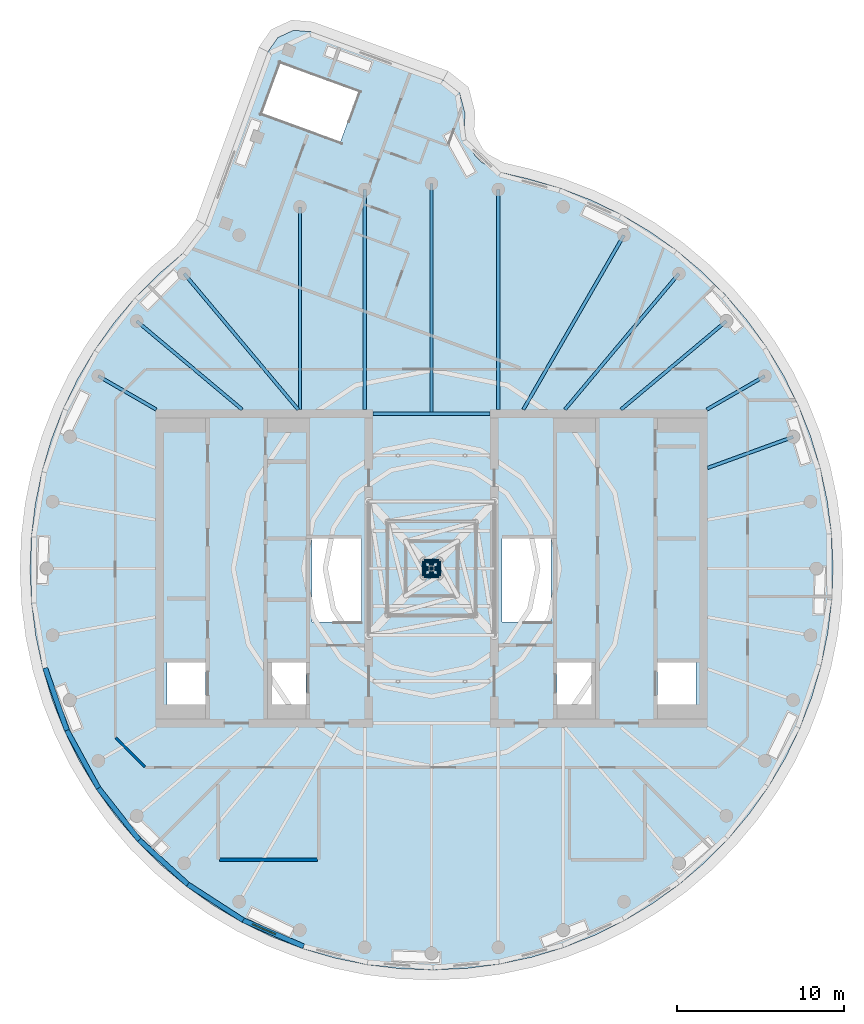
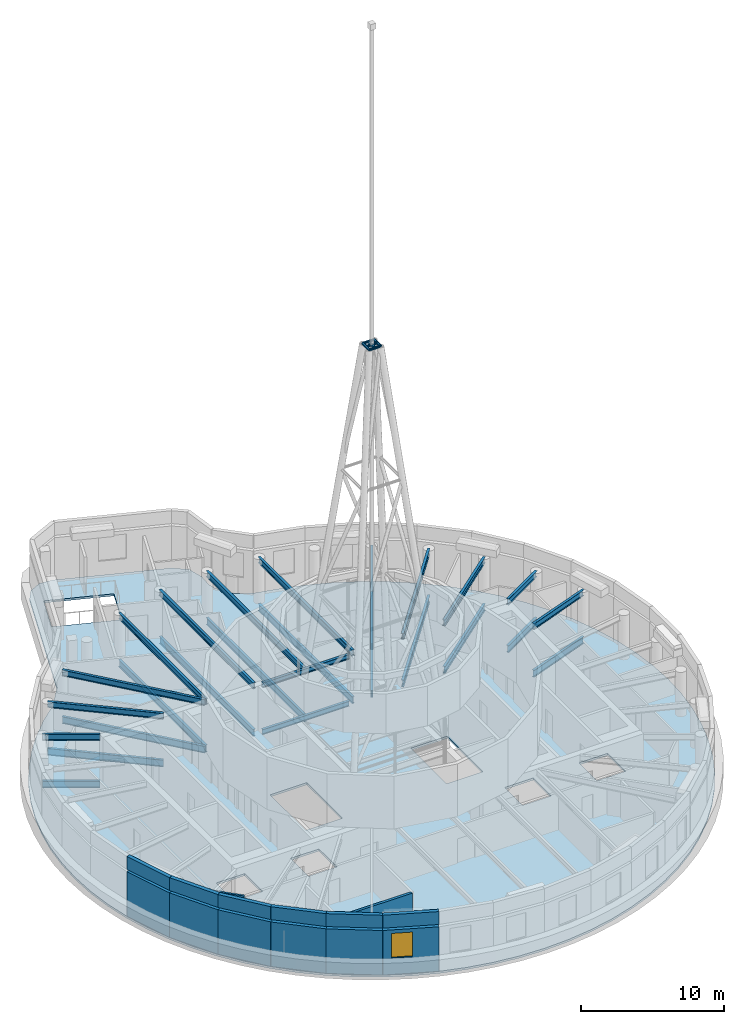
# One storey, part 10 of 17: 26 beams, 14 walls, 8 members, 1 slab, 1 window, 1 opening.
"""IFC4 building model written with IfcOpenShell, lengths in metres."""

from ifc_helpers import new_model, si_unit, direction, frame, frame_2d, origin, origin_2d, place, context, subcontext, project, spatial, polyline, rectangle, hollow_circle, i_section, outline, extrude, material, layer, layer_set, material_profile, profile_set, type_object, element, fill, save


model = new_model("IFC4")

# Units and contexts
model_context = context("Model", 3, precision=1e-05, world=origin(), true_north=direction((0.0, 1.0)))
body_context = subcontext(model_context, "Body", "Model", "MODEL_VIEW")
ifc_project = project(units=[si_unit("LENGTHUNIT", "METRE"), si_unit("AREAUNIT", "SQUARE_METRE"), si_unit("VOLUMEUNIT", "CUBIC_METRE"), si_unit("PLANEANGLEUNIT", "RADIAN"), si_unit("MASSUNIT", "GRAM", prefix="KILO")], contexts=[model_context])

# Site, building, storey
site_placement = place(None, origin())
site = spatial("IfcSite", under=ifc_project, at=site_placement, CompositionType="ELEMENT")
building_placement = place(site_placement, origin())
building = spatial("IfcBuilding", under=site, at=building_placement, Name="Tamarind Cross Interchange Tower", CompositionType="ELEMENT")
storey_placement = place(building_placement, frame((0.0, 0.0, 325.39990234375)))
storey = spatial("IfcBuildingStorey", under=building, at=storey_placement, Name="L80", CompositionType="ELEMENT", Elevation=325.39990234375)

# Beams
ifc_material_1 = material(Name="Steel Q355B", Category="steel")
ifc_material_profile_1 = material_profile(ifc_material_1, i_section(OverallWidth=0.199951171875, OverallDepth=0.39990234375, WebThickness=0.008056640625, FlangeThickness=0.012939453125, FilletRadius=0.01611328125, at=origin_2d()), Name="HN 400x200x8x13")
ifc_profile_set_1 = profile_set([ifc_material_profile_1], Name="Steel Q355B")
beam_type_1 = type_object("IfcBeamType", Name="Composite beam HN 400x200x8x13 Q355B", PredefinedType="BEAM", material=ifc_profile_set_1)
beam_1_placement = place(storey_placement, frame((-3.5, 9.25, 3.60009765625), z_axis=(1.0, 0.0, 0.0), x_axis=(0.0, 1.0, 0.0)))
element("IfcBeam", 1, at=beam_1_placement, inside=storey, type_object=beam_type_1, Name="Beam G9.25", PredefinedType="BEAM", context=body_context, shape_type="SweptSolid", body=[
    extrude(i_section(OverallWidth=0.199951171875, OverallDepth=0.39990234375, WebThickness=0.008056640625, FlangeThickness=0.012939453125, FilletRadius=0.01611328125, at=origin_2d()), origin(), (0.0, 0.0, 1.0), 7.0),
])
ifc_material_profile_2 = material_profile(ifc_material_1, i_section(OverallWidth=0.198974609375, OverallDepth=0.446044921875, WebThickness=0.008056640625, FlangeThickness=0.011962890625, FilletRadius=0.012939453125, at=origin_2d()), Name="HN 446x199x8x12")
ifc_profile_set_2 = profile_set([ifc_material_profile_2], Name="Steel Q355B")
beam_type_2 = type_object("IfcBeamType", Name="Composite beam HN 446x199x8x12 Q355B", PredefinedType="BEAM", material=ifc_profile_set_2)
beam_2_placement = place(storey_placement, frame((-3.5, 9.25, -0.40283203125), z_axis=(1.0, 0.0, 0.0), x_axis=(0.0, 1.0, 0.0)))
element("IfcBeam", 2, at=beam_2_placement, inside=storey, type_object=beam_type_2, Name="Beam G9.25", PredefinedType="BEAM", context=body_context, shape_type="SweptSolid", body=[
    extrude(i_section(OverallWidth=0.198974609375, OverallDepth=0.446044921875, WebThickness=0.008056640625, FlangeThickness=0.011962890625, FilletRadius=0.012939453125, at=origin_2d()), origin(), (0.0, 0.0, 1.0), 7.0),
])
ifc_material_profile_3 = material_profile(ifc_material_1, i_section(OverallWidth=0.198974609375, OverallDepth=0.49609375, WebThickness=0.009033203125, FlangeThickness=0.013916015625, FilletRadius=0.012939453125, at=origin_2d()), Name="HN 496x199x9x14")
ifc_profile_set_3 = profile_set([ifc_material_profile_3], Name="Steel Q355B")
beam_type_3 = type_object("IfcBeamType", Name="Composite beam HN 496x199x9x14 Q355B", PredefinedType="BEAM", material=ifc_profile_set_3)
beam_3_placement = place(storey_placement, frame((21.613037109375, 7.866455078125, 3.552001953125), z_axis=(-0.939701685589, -0.341995236956, 0.0), x_axis=(0.341995236956, -0.939701685589, 0.0)))
element("IfcBeam", 3, at=beam_3_placement, inside=storey, type_object=beam_type_3, Name="Beam HH02", PredefinedType="BEAM", context=body_context, shape_type="SweptSolid", body=[
    extrude(i_section(OverallWidth=0.198974609375, OverallDepth=0.49609375, WebThickness=0.009033203125, FlangeThickness=0.013916015625, FilletRadius=0.012939453125, at=origin_2d()), origin(), (0.0, 0.0, 1.0), 5.441162109375),
])
beam_4_placement = place(storey_placement, frame((19.918701171875, 11.5, 3.552001953125), z_axis=(-0.866026010844, -0.49999894854, 0.0), x_axis=(0.49999894854, -0.866026010844, 0.0)))
element("IfcBeam", 4, at=beam_4_placement, inside=storey, type_object=beam_type_3, Name="Beam HH03", PredefinedType="BEAM", context=body_context, shape_type="SweptSolid", body=[
    extrude(i_section(OverallWidth=0.198974609375, OverallDepth=0.49609375, WebThickness=0.009033203125, FlangeThickness=0.013916015625, FilletRadius=0.012939453125, at=origin_2d()), origin(), (0.0, 0.0, 1.0), 4.0),
])
beam_5_placement = place(storey_placement, frame((17.619140625, 14.7841796875, 3.552001953125), z_axis=(-0.766040580814, -0.642792212574, 0.0), x_axis=(0.642792212574, -0.766040580814, 0.0)))
element("IfcBeam", 5, at=beam_5_placement, inside=storey, type_object=beam_type_3, Name="Beam HH04", PredefinedType="BEAM", context=body_context, shape_type="SweptSolid", body=[
    extrude(i_section(OverallWidth=0.198974609375, OverallDepth=0.49609375, WebThickness=0.009033203125, FlangeThickness=0.013916015625, FilletRadius=0.012939453125, at=origin_2d()), origin(), (0.0, 0.0, 1.0), 8.220703125),
])
beam_6_placement = place(storey_placement, frame((14.7841796875, 17.619140625, 3.552001953125), z_axis=(-0.642786293979, -0.766045547127, 0.0), x_axis=(0.766045547127, -0.642786293979, 0.0)))
element("IfcBeam", 6, at=beam_6_placement, inside=storey, type_object=beam_type_3, Name="Beam HH05", PredefinedType="BEAM", context=body_context, shape_type="SweptSolid", body=[
    extrude(i_section(OverallWidth=0.198974609375, OverallDepth=0.49609375, WebThickness=0.009033203125, FlangeThickness=0.013916015625, FilletRadius=0.012939453125, at=origin_2d()), origin(), (0.0, 0.0, 1.0), 10.598876953125),
])
beam_7_placement = place(storey_placement, frame((11.5, 19.918701171875, 3.552001953125), z_axis=(-0.499993565836, -0.866029118519, 0.0), x_axis=(0.866029118519, -0.499993565836, 0.0)))
element("IfcBeam", 7, at=beam_7_placement, inside=storey, type_object=beam_type_3, Name="Beam HH06", PredefinedType="BEAM", context=body_context, shape_type="SweptSolid", body=[
    extrude(i_section(OverallWidth=0.198974609375, OverallDepth=0.49609375, WebThickness=0.009033203125, FlangeThickness=0.013916015625, FilletRadius=0.012939453125, at=origin_2d()), origin(), (0.0, 0.0, 1.0), 12.030517578125),
])
beam_8_placement = place(storey_placement, frame((3.993896484375, 22.650634765625, 3.552001953125), z_axis=(0.0, -1.0, 0.0), x_axis=(1.0, 0.0, 0.0)))
element("IfcBeam", 8, at=beam_8_placement, inside=storey, type_object=beam_type_3, Name="Beam HH08", PredefinedType="BEAM", context=body_context, shape_type="SweptSolid", body=[
    extrude(i_section(OverallWidth=0.198974609375, OverallDepth=0.49609375, WebThickness=0.009033203125, FlangeThickness=0.013916015625, FilletRadius=0.012939453125, at=origin_2d()), origin(), (0.0, 0.0, 1.0), 13.150634765625),
])
beam_9_placement = place(storey_placement, frame((0.0, 23.0, 3.552001953125), z_axis=(0.0, -1.0, 0.0), x_axis=(1.0, 0.0, 0.0)))
element("IfcBeam", 9, at=beam_9_placement, inside=storey, type_object=beam_type_3, Name="Beam HH09", PredefinedType="BEAM", context=body_context, shape_type="SweptSolid", body=[
    extrude(i_section(OverallWidth=0.198974609375, OverallDepth=0.49609375, WebThickness=0.009033203125, FlangeThickness=0.013916015625, FilletRadius=0.012939453125, at=origin_2d()), origin(), (0.0, 0.0, 1.0), 13.75),
])
beam_10_placement = place(storey_placement, frame((-3.993896484375, 22.650634765625, 3.552001953125), z_axis=(0.0, -1.0, 0.0), x_axis=(1.0, 0.0, 0.0)))
element("IfcBeam", 10, at=beam_10_placement, inside=storey, type_object=beam_type_3, Name="Beam HH10", PredefinedType="BEAM", context=body_context, shape_type="SweptSolid", body=[
    extrude(i_section(OverallWidth=0.198974609375, OverallDepth=0.49609375, WebThickness=0.009033203125, FlangeThickness=0.013916015625, FilletRadius=0.012939453125, at=origin_2d()), origin(), (0.0, 0.0, 1.0), 13.150634765625),
])
beam_11_placement = place(storey_placement, frame((-7.866455078125, 21.613037109375, 3.552001953125), z_axis=(0.0, -1.0, 0.0), x_axis=(1.0, 0.0, 0.0)))
element("IfcBeam", 11, at=beam_11_placement, inside=storey, type_object=beam_type_3, Name="Beam HH11", PredefinedType="BEAM", context=body_context, shape_type="SweptSolid", body=[
    extrude(i_section(OverallWidth=0.198974609375, OverallDepth=0.49609375, WebThickness=0.009033203125, FlangeThickness=0.013916015625, FilletRadius=0.012939453125, at=origin_2d()), origin(), (0.0, 0.0, 1.0), 12.113037109375),
])
beam_12_placement = place(storey_placement, frame((-14.7841796875, 17.619140625, 3.552001953125), z_axis=(0.642786293979, -0.766045547127, 0.0), x_axis=(0.766045547127, 0.642786293979, 0.0)))
element("IfcBeam", 12, at=beam_12_placement, inside=storey, type_object=beam_type_3, Name="Beam HH13", PredefinedType="BEAM", context=body_context, shape_type="SweptSolid", body=[
    extrude(i_section(OverallWidth=0.198974609375, OverallDepth=0.49609375, WebThickness=0.009033203125, FlangeThickness=0.013916015625, FilletRadius=0.012939453125, at=origin_2d()), origin(), (0.0, 0.0, 1.0), 10.598876953125),
])
beam_13_placement = place(storey_placement, frame((-17.619140625, 14.7841796875, 3.552001953125), z_axis=(0.766040580814, -0.642792212574, 0.0), x_axis=(0.642792212574, 0.766040580814, 0.0)))
element("IfcBeam", 13, at=beam_13_placement, inside=storey, type_object=beam_type_3, Name="Beam HH14", PredefinedType="BEAM", context=body_context, shape_type="SweptSolid", body=[
    extrude(i_section(OverallWidth=0.198974609375, OverallDepth=0.49609375, WebThickness=0.009033203125, FlangeThickness=0.013916015625, FilletRadius=0.012939453125, at=origin_2d()), origin(), (0.0, 0.0, 1.0), 8.220703125),
])
beam_14_placement = place(storey_placement, frame((-19.918701171875, 11.5, 3.552001953125), z_axis=(0.866026010844, -0.49999894854, 0.0), x_axis=(0.49999894854, 0.866026010844, 0.0)))
element("IfcBeam", 14, at=beam_14_placement, inside=storey, type_object=beam_type_3, Name="Beam HH15", PredefinedType="BEAM", context=body_context, shape_type="SweptSolid", body=[
    extrude(i_section(OverallWidth=0.198974609375, OverallDepth=0.49609375, WebThickness=0.009033203125, FlangeThickness=0.013916015625, FilletRadius=0.012939453125, at=origin_2d()), origin(), (0.0, 0.0, 1.0), 4.0),
])
ifc_material_profile_4 = material_profile(ifc_material_1, i_section(OverallWidth=0.198974609375, OverallDepth=0.595947265625, WebThickness=0.010009765625, FlangeThickness=0.014892578125, FilletRadius=0.012939453125, at=origin_2d()), Name="HN 596x199x10x15")
ifc_profile_set_4 = profile_set([ifc_material_profile_4], Name="Steel Q355B")
beam_type_4 = type_object("IfcBeamType", Name="Composite beam HN 596x199x10x15 Q355B", PredefinedType="BEAM", material=ifc_profile_set_4)
beam_15_placement = place(storey_placement, frame((21.613037109375, 7.866455078125, -0.477783203125), z_axis=(-0.939701685589, -0.341995236956, 0.0), x_axis=(0.341995236956, -0.939701685589, 0.0)))
element("IfcBeam", 15, at=beam_15_placement, inside=storey, type_object=beam_type_4, Name="Beam HH02", PredefinedType="BEAM", context=body_context, shape_type="SweptSolid", body=[
    extrude(i_section(OverallWidth=0.198974609375, OverallDepth=0.595947265625, WebThickness=0.010009765625, FlangeThickness=0.014892578125, FilletRadius=0.012939453125, at=origin_2d()), origin(), (0.0, 0.0, 1.0), 5.441162109375),
])
beam_16_placement = place(storey_placement, frame((19.918701171875, 11.5, -0.477783203125), z_axis=(-0.866026010844, -0.49999894854, 0.0), x_axis=(0.49999894854, -0.866026010844, 0.0)))
element("IfcBeam", 16, at=beam_16_placement, inside=storey, type_object=beam_type_4, Name="Beam HH03", PredefinedType="BEAM", context=body_context, shape_type="SweptSolid", body=[
    extrude(i_section(OverallWidth=0.198974609375, OverallDepth=0.595947265625, WebThickness=0.010009765625, FlangeThickness=0.014892578125, FilletRadius=0.012939453125, at=origin_2d()), origin(), (0.0, 0.0, 1.0), 4.0),
])
beam_17_placement = place(storey_placement, frame((17.619140625, 14.7841796875, -0.477783203125), z_axis=(-0.766040580814, -0.642792212574, 0.0), x_axis=(0.642792212574, -0.766040580814, 0.0)))
element("IfcBeam", 17, at=beam_17_placement, inside=storey, type_object=beam_type_4, Name="Beam HH04", PredefinedType="BEAM", context=body_context, shape_type="SweptSolid", body=[
    extrude(i_section(OverallWidth=0.198974609375, OverallDepth=0.595947265625, WebThickness=0.010009765625, FlangeThickness=0.014892578125, FilletRadius=0.012939453125, at=origin_2d()), origin(), (0.0, 0.0, 1.0), 8.220703125),
])
beam_18_placement = place(storey_placement, frame((14.7841796875, 17.619140625, -0.477783203125), z_axis=(-0.642786293979, -0.766045547127, 0.0), x_axis=(0.766045547127, -0.642786293979, 0.0)))
element("IfcBeam", 18, at=beam_18_placement, inside=storey, type_object=beam_type_4, Name="Beam HH05", PredefinedType="BEAM", context=body_context, shape_type="SweptSolid", body=[
    extrude(i_section(OverallWidth=0.198974609375, OverallDepth=0.595947265625, WebThickness=0.010009765625, FlangeThickness=0.014892578125, FilletRadius=0.012939453125, at=origin_2d()), origin(), (0.0, 0.0, 1.0), 10.598876953125),
])
beam_19_placement = place(storey_placement, frame((11.5, 19.918701171875, -0.477783203125), z_axis=(-0.499993565836, -0.866029118519, 0.0), x_axis=(0.866029118519, -0.499993565836, 0.0)))
element("IfcBeam", 19, at=beam_19_placement, inside=storey, type_object=beam_type_4, Name="Beam HH06", PredefinedType="BEAM", context=body_context, shape_type="SweptSolid", body=[
    extrude(i_section(OverallWidth=0.198974609375, OverallDepth=0.595947265625, WebThickness=0.010009765625, FlangeThickness=0.014892578125, FilletRadius=0.012939453125, at=origin_2d()), origin(), (0.0, 0.0, 1.0), 12.030517578125),
])
beam_20_placement = place(storey_placement, frame((3.993896484375, 22.650634765625, -0.477783203125), z_axis=(0.0, -1.0, 0.0), x_axis=(1.0, 0.0, 0.0)))
element("IfcBeam", 20, at=beam_20_placement, inside=storey, type_object=beam_type_4, Name="Beam HH08", PredefinedType="BEAM", context=body_context, shape_type="SweptSolid", body=[
    extrude(i_section(OverallWidth=0.198974609375, OverallDepth=0.595947265625, WebThickness=0.010009765625, FlangeThickness=0.014892578125, FilletRadius=0.012939453125, at=origin_2d()), origin(), (0.0, 0.0, 1.0), 13.150634765625),
])
beam_21_placement = place(storey_placement, frame((0.0, 23.0, -0.477783203125), z_axis=(0.0, -1.0, 0.0), x_axis=(1.0, 0.0, 0.0)))
element("IfcBeam", 21, at=beam_21_placement, inside=storey, type_object=beam_type_4, Name="Beam HH09", PredefinedType="BEAM", context=body_context, shape_type="SweptSolid", body=[
    extrude(i_section(OverallWidth=0.198974609375, OverallDepth=0.595947265625, WebThickness=0.010009765625, FlangeThickness=0.014892578125, FilletRadius=0.012939453125, at=origin_2d()), origin(), (0.0, 0.0, 1.0), 13.75),
])
beam_22_placement = place(storey_placement, frame((-3.993896484375, 22.650634765625, -0.477783203125), z_axis=(0.0, -1.0, 0.0), x_axis=(1.0, 0.0, 0.0)))
element("IfcBeam", 22, at=beam_22_placement, inside=storey, type_object=beam_type_4, Name="Beam HH10", PredefinedType="BEAM", context=body_context, shape_type="SweptSolid", body=[
    extrude(i_section(OverallWidth=0.198974609375, OverallDepth=0.595947265625, WebThickness=0.010009765625, FlangeThickness=0.014892578125, FilletRadius=0.012939453125, at=origin_2d()), origin(), (0.0, 0.0, 1.0), 13.150634765625),
])
beam_23_placement = place(storey_placement, frame((-7.866455078125, 21.613037109375, -0.477783203125), z_axis=(0.0, -1.0, 0.0), x_axis=(1.0, 0.0, 0.0)))
element("IfcBeam", 23, at=beam_23_placement, inside=storey, type_object=beam_type_4, Name="Beam HH11", PredefinedType="BEAM", context=body_context, shape_type="SweptSolid", body=[
    extrude(i_section(OverallWidth=0.198974609375, OverallDepth=0.595947265625, WebThickness=0.010009765625, FlangeThickness=0.014892578125, FilletRadius=0.012939453125, at=origin_2d()), origin(), (0.0, 0.0, 1.0), 12.113037109375),
])
beam_24_placement = place(storey_placement, frame((-14.7841796875, 17.619140625, -0.477783203125), z_axis=(0.642786293979, -0.766045547127, 0.0), x_axis=(0.766045547127, 0.642786293979, 0.0)))
element("IfcBeam", 24, at=beam_24_placement, inside=storey, type_object=beam_type_4, Name="Beam HH13", PredefinedType="BEAM", context=body_context, shape_type="SweptSolid", body=[
    extrude(i_section(OverallWidth=0.198974609375, OverallDepth=0.595947265625, WebThickness=0.010009765625, FlangeThickness=0.014892578125, FilletRadius=0.012939453125, at=origin_2d()), origin(), (0.0, 0.0, 1.0), 10.598876953125),
])
beam_25_placement = place(storey_placement, frame((-17.619140625, 14.7841796875, -0.477783203125), z_axis=(0.766040580814, -0.642792212574, 0.0), x_axis=(0.642792212574, 0.766040580814, 0.0)))
element("IfcBeam", 25, at=beam_25_placement, inside=storey, type_object=beam_type_4, Name="Beam HH14", PredefinedType="BEAM", context=body_context, shape_type="SweptSolid", body=[
    extrude(i_section(OverallWidth=0.198974609375, OverallDepth=0.595947265625, WebThickness=0.010009765625, FlangeThickness=0.014892578125, FilletRadius=0.012939453125, at=origin_2d()), origin(), (0.0, 0.0, 1.0), 8.220703125),
])
beam_26_placement = place(storey_placement, frame((-19.918701171875, 11.5, -0.477783203125), z_axis=(0.866026010844, -0.49999894854, 0.0), x_axis=(0.49999894854, 0.866026010844, 0.0)))
element("IfcBeam", 26, at=beam_26_placement, inside=storey, type_object=beam_type_4, Name="Beam HH15", PredefinedType="BEAM", context=body_context, shape_type="SweptSolid", body=[
    extrude(i_section(OverallWidth=0.198974609375, OverallDepth=0.595947265625, WebThickness=0.010009765625, FlangeThickness=0.014892578125, FilletRadius=0.012939453125, at=origin_2d()), origin(), (0.0, 0.0, 1.0), 4.0),
])

# Members
ifc_material_profile_5 = material_profile(ifc_material_1, hollow_circle(Radius=0.109619140625, WallThickness=0.011962890625, at=origin_2d()), Name="CHS 219x12")
ifc_profile_set_5 = profile_set([ifc_material_profile_5], Name="Steel Q355B")
member_type_1 = type_object("IfcMemberType", Name="Spire mast stay CHS 219x12 Q355B", PredefinedType="BRACE", material=ifc_profile_set_5)
for number, where, z_axis, x_axis, name in (
    (27, (0.0, 0.449951171875, 37.0), (0.0, -1.0, 0.0), (1.0, 0.0, 0.0), "Spire mast stay 33"),
    (28, (-0.449951171875, 0.0, 37.0), (1.0, 0.0, 0.0), (0.0, 1.0, 0.0), "Spire mast stay 34"),
    (29, (0.0, -0.449951171875, 37.0), (0.0, 1.0, 0.0), (-1.0, 0.0, 0.0), "Spire mast stay 35"),
    (30, (0.449951171875, 0.0, 37.0), (-1.0, 0.0, 0.0), (0.0, -1.0, 0.0), "Spire mast stay 36"),
):
    element("IfcMember", number, at=place(storey_placement, frame(where, z_axis=z_axis, x_axis=x_axis)), inside=storey, type_object=member_type_1, Name=name, PredefinedType="BRACE", context=body_context, shape_type="SweptSolid", body=[
        extrude(hollow_circle(Radius=0.109619140625, WallThickness=0.011962890625, at=origin_2d()), origin(), (0.0, 0.0, 1.0), 0.449951171875),
    ])
ifc_material_profile_6 = material_profile(ifc_material_1, hollow_circle(Radius=0.109619140625, WallThickness=0.011962890625, at=origin_2d()), Name="CHS 219x12")
ifc_profile_set_6 = profile_set([ifc_material_profile_6], Name="Steel Q355B")
member_type_2 = type_object("IfcMemberType", Name="Spire ring CHS 219x12 Q355B", PredefinedType="CHORD", material=ifc_profile_set_6)
for number, where, z_axis, x_axis, name in (
    (31, (0.449951171875, 0.449951171875, 37.0), (-1.0, 0.0, 0.0), (0.0, -1.0, 0.0), "Spire ring 17"),
    (32, (-0.449951171875, 0.449951171875, 37.0), (0.0, -1.0, 0.0), (1.0, 0.0, 0.0), "Spire ring 18"),
    (33, (-0.449951171875, -0.449951171875, 37.0), (1.0, 0.0, 0.0), (0.0, 1.0, 0.0), "Spire ring 19"),
    (34, (0.449951171875, -0.449951171875, 37.0), (0.0, 1.0, 0.0), (-1.0, 0.0, 0.0), "Spire ring 20"),
):
    element("IfcMember", number, at=place(storey_placement, frame(where, z_axis=z_axis, x_axis=x_axis)), inside=storey, type_object=member_type_2, Name=name, PredefinedType="CHORD", context=body_context, shape_type="SweptSolid", body=[
        extrude(hollow_circle(Radius=0.109619140625, WallThickness=0.011962890625, at=origin_2d()), origin(), (0.0, 0.0, 1.0), 0.89990234375),
    ])

# Slab
ifc_material_2 = material(Name="Concrete C40", Category="concrete")
ifc_layer_1 = layer(ifc_material_2, 0.179931640625)
ifc_layer_set_1 = layer_set([ifc_layer_1], Name="Concrete C40")
slab_type = type_object("IfcSlabType", Name="Composite slab 180 Concrete C40", PredefinedType="FLOOR", material=ifc_layer_set_1)
slab_placement = place(storey_placement, frame((0.0, 0.0, -0.179931640625)))
element("IfcSlab", 35, at=slab_placement, inside=storey, type_object=slab_type, Name="Floor slab L80", PredefinedType="FLOOR", context=body_context, shape_type="SweptSolid", body=[
    extrude(outline(polyline([(-9.18798828125, 31.72900390625), (-9.78173828125, 30.880859375), (-13.54248046875, 20.54736328125), (-14.847900390625, 18.848876953125), (-16.327880859375, 17.584228515625), (-17.72412109375, 16.17578125), (-18.99951171875, 14.656982421875), (-20.14501953125, 13.0380859375), (-21.15283203125, 11.329833984375), (-22.01611328125, 9.54443359375), (-22.72900390625, 7.693603515625), (-23.286865234375, 5.79052734375), (-23.685546875, 3.84765625), (-23.92236328125, 1.878662109375), (-23.99560546875, -0.103271484375), (-23.9052734375, -2.08447265625), (-23.651611328125, -4.051513671875), (-23.236083984375, -5.99072265625), (-22.662109375, -7.88916015625), (-21.93310546875, -9.7333984375), (-21.054443359375, -11.511474609375), (-20.031982421875, -13.2109375), (-18.87255859375, -14.820068359375), (-17.584228515625, -16.327880859375), (-16.17578125, -17.72412109375), (-14.656982421875, -18.99951171875), (-13.0380859375, -20.14501953125), (-11.329833984375, -21.15283203125), (-9.54443359375, -22.01611328125), (-7.693603515625, -22.72900390625), (-5.79052734375, -23.286865234375), (-3.84765625, -23.685546875), (-1.878662109375, -23.92236328125), (0.103271484375, -23.99560546875), (2.08447265625, -23.9052734375), (4.051513671875, -23.651611328125), (5.99072265625, -23.236083984375), (7.88916015625, -22.662109375), (9.7333984375, -21.93310546875), (11.511474609375, -21.054443359375), (13.2109375, -20.031982421875), (14.820068359375, -18.87255859375), (16.327880859375, -17.584228515625), (17.72412109375, -16.17578125), (18.99951171875, -14.656982421875), (20.14501953125, -13.0380859375), (21.15283203125, -11.329833984375), (22.01611328125, -9.54443359375), (22.72900390625, -7.693603515625), (23.286865234375, -5.79052734375), (23.685546875, -3.84765625), (23.92236328125, -1.878662109375), (23.99560546875, 0.103271484375), (23.9052734375, 2.08447265625), (23.651611328125, 4.051513671875), (23.236083984375, 5.99072265625), (22.662109375, 7.88916015625), (21.93310546875, 9.7333984375), (21.054443359375, 11.511474609375), (20.031982421875, 13.2109375), (18.87255859375, 14.820068359375), (17.584228515625, 16.327880859375), (16.17578125, 17.72412109375), (14.656982421875, 18.99951171875), (13.0380859375, 20.14501953125), (11.329833984375, 21.15283203125), (9.54443359375, 22.01611328125), (7.693603515625, 22.72900390625), (5.79052734375, 23.286865234375), (4.106689453125, 23.680908203125), (2.99658203125, 24.276123046875), (2.603515625, 24.663330078125), (2.0615234375, 25.6376953125), (1.940185546875, 26.17578125), (2.004638671875, 27.190673828125), (1.6826171875, 28.412109375), (0.692626953125, 29.197021484375), (-7.218505859375, 32.076171875), (-8.249755859375, 32.16650390625), (-9.18798828125, 31.72900390625)]), holes=[polyline([(-15.800048828125, -8.125), (-15.800048828125, -5.625), (-13.5, -5.625), (-13.5, -8.125), (-15.800048828125, -8.125)]), polyline([(-9.800048828125, -5.625), (-7.5, -5.625), (-7.5, -8.125), (-9.800048828125, -8.125), (-9.800048828125, -5.625)]), polyline([(9.800048828125, -8.125), (7.5, -8.125), (7.5, -5.625), (9.800048828125, -5.625), (9.800048828125, -8.125)]), polyline([(15.800048828125, -8.125), (13.5, -8.125), (13.5, -5.625), (15.800048828125, -5.625), (15.800048828125, -8.125)]), polyline([(-7.14990234375, -3.18798828125), (-7.14990234375, 1.800048828125), (-4.199951171875, 1.800048828125), (-4.199951171875, -3.18798828125), (-7.14990234375, -3.18798828125)]), polyline([(4.199951171875, -3.18798828125), (4.199951171875, 1.800048828125), (7.14990234375, 1.800048828125), (7.14990234375, -3.18798828125), (4.199951171875, -3.18798828125)]), polyline([(-5.45263671875, 25.47412109375), (-10.139892578125, 27.18017578125), (-9.04541015625, 30.187255859375), (-4.358154296875, 28.481201171875), (-5.45263671875, 25.47412109375)])]), origin(), (0.0, 0.0, 1.0), 0.179931640625),
])

# Walls
ifc_layer_2 = layer(ifc_material_2, 0.300048828125)
ifc_layer_set_2 = layer_set([ifc_layer_2], Name="Concrete C40")
wall_type_1 = type_object("IfcWallType", Name="Parapet upstand", PredefinedType="PARAPET", material=ifc_layer_set_2)
for number, where, z_axis, x_axis, name in (
    (36, (-23.0908203125, -5.953125, 4.0), (0.0, 0.0, 1.0), (0.328789892836, -0.944403095277, 0.0), "EXW-L80-P02-08"),
    (37, (-21.7958984375, -9.672607421875, 4.0), (0.0, 0.0, 1.0), (0.479742253376, -0.877409465601, 0.0), "EXW-L80-P02-09"),
):
    element("IfcWall", number, at=place(storey_placement, frame(where, z_axis=z_axis, x_axis=x_axis)), inside=storey, type_object=wall_type_1, Name=name, PredefinedType="PARAPET", context=body_context, shape_type="SweptSolid", body=[
        extrude(rectangle(XDim=3.9384765625, YDim=0.300048828125, at=frame_2d((1.96923828125, 0.0))), origin(), (0.0, 0.0, 1.0), 1.10009765625),
    ])
wall_1_placement = place(storey_placement, frame((-19.906494140625, -13.128173828125, 4.0), z_axis=(0.0, 0.0, 1.0), x_axis=(0.617577851206, -0.786509756901, 0.0)))
element("IfcWall", 38, at=wall_1_placement, inside=storey, type_object=wall_type_1, Name="EXW-L80-P02-10", PredefinedType="PARAPET", context=body_context, shape_type="SweptSolid", body=[
    extrude(rectangle(XDim=3.938232421875, YDim=0.300048828125, at=frame_2d((1.96923828125, 0.0))), origin(), (0.0, 0.0, 1.0), 1.10009765625),
])
wall_2_placement = place(storey_placement, frame((-17.474365234375, -16.2255859375, 4.0), z_axis=(0.0, 0.0, 1.0), x_axis=(0.738634435884, -0.674106200926, 0.0)))
element("IfcWall", 39, at=wall_2_placement, inside=storey, type_object=wall_type_1, Name="EXW-L80-P02-11", PredefinedType="PARAPET", context=body_context, shape_type="SweptSolid", body=[
    extrude(rectangle(XDim=3.9384765625, YDim=0.300048828125, at=frame_2d((1.96923828125, 0.0))), origin(), (0.0, 0.0, 1.0), 1.10009765625),
])
wall_3_placement = place(storey_placement, frame((-14.565185546875, -18.880615234375, 4.0), z_axis=(0.0, 0.0, 1.0), x_axis=(0.839498632024, -0.54336180104, 0.0)))
element("IfcWall", 40, at=wall_3_placement, inside=storey, type_object=wall_type_1, Name="EXW-L80-P02-12", PredefinedType="PARAPET", context=body_context, shape_type="SweptSolid", body=[
    extrude(rectangle(XDim=3.938232421875, YDim=0.300048828125, at=frame_2d((1.96923828125, 0.0))), origin(), (0.0, 0.0, 1.0), 1.10009765625),
])
wall_4_placement = place(storey_placement, frame((-11.259033203125, -21.0205078125, 4.0), z_axis=(0.0, 0.0, 1.0), x_axis=(0.917505110173, -0.397723990735, 0.0)))
element("IfcWall", 41, at=wall_4_placement, inside=storey, type_object=wall_type_1, Name="EXW-L80-P02-13", PredefinedType="PARAPET", context=body_context, shape_type="SweptSolid", body=[
    extrude(rectangle(XDim=3.9384765625, YDim=0.300048828125, at=frame_2d((1.96923828125, 0.0))), origin(), (0.0, 0.0, 1.0), 1.10009765625),
])
ifc_material_3 = material(Name="Gypsum board partition on steel studs", Category="steel")
ifc_layer_3 = layer(ifc_material_3, 0.14990234375)
ifc_layer_set_3 = layer_set([ifc_layer_3], Name="Gypsum board partition on steel studs")
wall_type_2 = type_object("IfcWallType", Name="Partition 150 mm EI 120", PredefinedType="PARTITIONING", material=ifc_layer_set_3)
wall_5_placement = place(storey_placement, frame((-18.87158203125, -10.12841796875, 0.0), z_axis=(0.0, 0.0, 1.0), x_axis=(0.707106781187, -0.707106781187, 0.0)))
element("IfcWall", 42, at=wall_5_placement, inside=storey, type_object=wall_type_2, Name="Partition L80-001", PredefinedType="PARTITIONING", context=body_context, shape_type="SweptSolid", body=[
    extrude(rectangle(XDim=2.455078125, YDim=0.14990234375, at=frame_2d((1.2275390625, 0.0))), origin(), (0.0, 0.0, 1.0), 3.2001953125),
])
ifc_layer_4 = layer(ifc_material_3, 0.199951171875)
ifc_layer_set_4 = layer_set([ifc_layer_4], Name="Gypsum board partition on steel studs")
wall_type_3 = type_object("IfcWallType", Name="Partition 200 mm EI 180", PredefinedType="PARTITIONING", material=ifc_layer_set_4)
wall_6_placement = place(storey_placement, frame((-12.660888671875, -17.39990234375, 0.0), z_axis=(0.0, 0.0, 1.0), x_axis=(1.0, 0.0, 0.0)))
element("IfcWall", 43, at=wall_6_placement, inside=storey, type_object=wall_type_3, Name="Partition L80-014", PredefinedType="PARTITIONING", context=body_context, shape_type="SweptSolid", body=[
    extrude(rectangle(XDim=5.8349609375, YDim=0.199951171875, at=frame_2d((2.91748046875, 0.0))), origin(), (0.0, 0.0, 1.0), 3.2001953125),
])
ifc_material_4 = material(Name="Precast concrete C40", Category="concrete")
ifc_layer_5 = layer(ifc_material_4, 0.300048828125)
ifc_layer_set_5 = layer_set([ifc_layer_5], Name="Precast concrete C40")
wall_type_4 = type_object("IfcWallType", Name="Plant louvre wall", PredefinedType="SOLIDWALL", material=ifc_layer_set_5)
for number, where, z_axis, x_axis, name in (
    (44, (-23.0908203125, -5.953125, 0.0), (0.0, 0.0, 1.0), (0.328789892836, -0.944403095277, 0.0), "EXW-L80-02-08"),
    (45, (-21.7958984375, -9.672607421875, 0.0), (0.0, 0.0, 1.0), (0.479742253376, -0.877409465601, 0.0), "EXW-L80-02-09"),
):
    element("IfcWall", number, at=place(storey_placement, frame(where, z_axis=z_axis, x_axis=x_axis)), inside=storey, type_object=wall_type_4, Name=name, PredefinedType="SOLIDWALL", context=body_context, shape_type="SweptSolid", body=[
        extrude(rectangle(XDim=3.9384765625, YDim=0.300048828125, at=frame_2d((1.96923828125, 0.0))), origin(), (0.0, 0.0, 1.0), 3.800048828125),
    ])
wall_7_placement = place(storey_placement, frame((-19.906494140625, -13.128173828125, 0.0), z_axis=(0.0, 0.0, 1.0), x_axis=(0.617577851206, -0.786509756901, 0.0)))
element("IfcWall", 46, at=wall_7_placement, inside=storey, type_object=wall_type_4, Name="EXW-L80-02-10", PredefinedType="SOLIDWALL", context=body_context, shape_type="SweptSolid", body=[
    extrude(rectangle(XDim=3.938232421875, YDim=0.300048828125, at=frame_2d((1.96923828125, 0.0))), origin(), (0.0, 0.0, 1.0), 3.800048828125),
])
wall_8_placement = place(storey_placement, frame((-17.474365234375, -16.2255859375, 0.0), z_axis=(0.0, 0.0, 1.0), x_axis=(0.738634435884, -0.674106200926, 0.0)))
element("IfcWall", 47, at=wall_8_placement, inside=storey, type_object=wall_type_4, Name="EXW-L80-02-11", PredefinedType="SOLIDWALL", context=body_context, shape_type="SweptSolid", body=[
    extrude(rectangle(XDim=3.9384765625, YDim=0.300048828125, at=frame_2d((1.96923828125, 0.0))), origin(), (0.0, 0.0, 1.0), 3.800048828125),
])
wall_9_placement = place(storey_placement, frame((-14.565185546875, -18.880615234375, 0.0), z_axis=(0.0, 0.0, 1.0), x_axis=(0.839498632024, -0.54336180104, 0.0)))
element("IfcWall", 48, at=wall_9_placement, inside=storey, type_object=wall_type_4, Name="EXW-L80-02-12", PredefinedType="SOLIDWALL", context=body_context, shape_type="SweptSolid", body=[
    extrude(rectangle(XDim=3.938232421875, YDim=0.300048828125, at=frame_2d((1.96923828125, 0.0))), origin(), (0.0, 0.0, 1.0), 3.800048828125),
])

# Wall, opening, window
wall_10_placement = place(storey_placement, frame((-11.259033203125, -21.0205078125, 0.0), z_axis=(0.0, 0.0, 1.0), x_axis=(0.917505110173, -0.397723990735, 0.0)))
wall_10 = element("IfcWall", 49, at=wall_10_placement, inside=storey, type_object=wall_type_4, Name="EXW-L80-02-13", PredefinedType="SOLIDWALL", context=body_context, shape_type="SweptSolid", body=[
    extrude(rectangle(XDim=3.9384765625, YDim=0.300048828125, at=frame_2d((1.96923828125, 0.0))), origin(), (0.0, 0.0, 1.0), 3.800048828125),
])
opening_placement = place(wall_10_placement, frame((0.60009765625, 0.0, 1.39990234375)))
opening = element("IfcOpeningElement", 50, at=opening_placement, cuts=wall_10, Name="Opening W2", PredefinedType="OPENING", context=body_context, shape_type="SweptSolid", body=[
    extrude(rectangle(XDim=1.498291015625, YDim=2.10009765625, at=frame_2d((0.7490234375, 1.050048828125))), frame((0.0, 0.159912109375, 0.0), z_axis=(0.0, -1.0, 0.0), x_axis=(1.0, 0.0, 0.0)), (0.0, 0.0, 1.0), 0.320068359375),
])
ifc_material_5 = material(Name="Aluminium louvre", Category="aluminium")
window_type = type_object("IfcWindowType", Name="Plant louvre bank", PartitioningType="SINGLE_PANEL", PredefinedType="WINDOW", material=ifc_material_5)
window_placement = place(opening_placement, origin())
window = element("IfcWindow", 51, at=window_placement, inside=storey, type_object=window_type, Name="WIN-L80-02-13", OverallHeight=2.10009765625, OverallWidth=1.498291015625, PartitioningType="SINGLE_PANEL", PredefinedType="WINDOW", context=body_context, shape_type="SweptSolid", body=[
    extrude(rectangle(XDim=1.498291015625, YDim=2.10009765625, at=frame_2d((0.7490234375, 1.050048828125))), frame((0.0, 0.030029296875, 0.0), z_axis=(0.0, -1.0, 0.0), x_axis=(1.0, 0.0, 0.0)), (0.0, 0.0, 1.0), 0.06005859375),
])
fill(opening, window)

save(model, "model.ifc")
